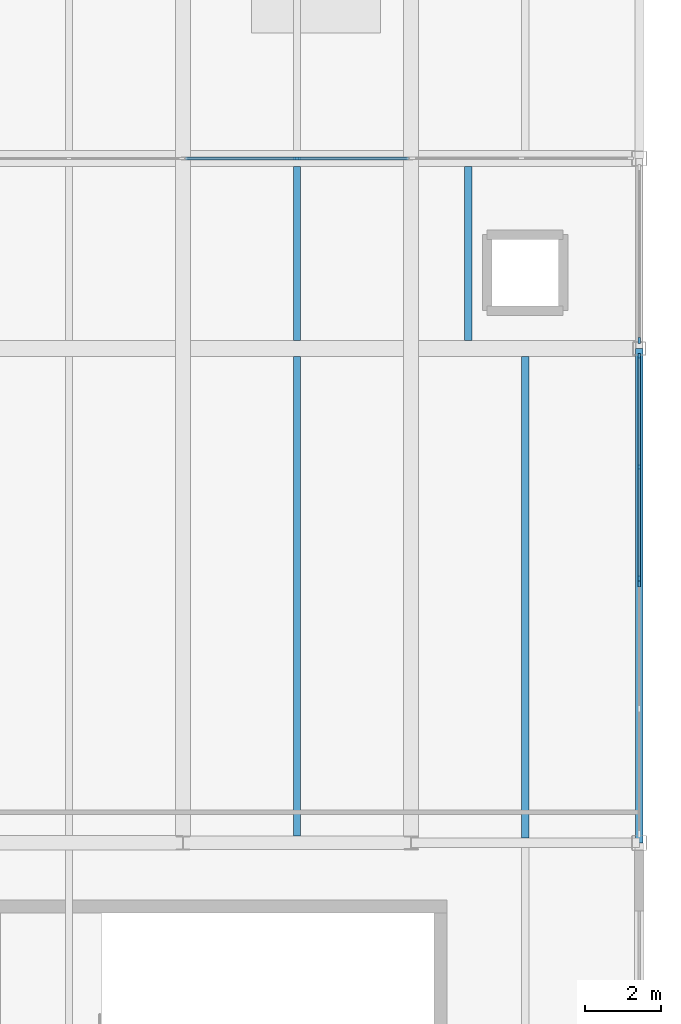
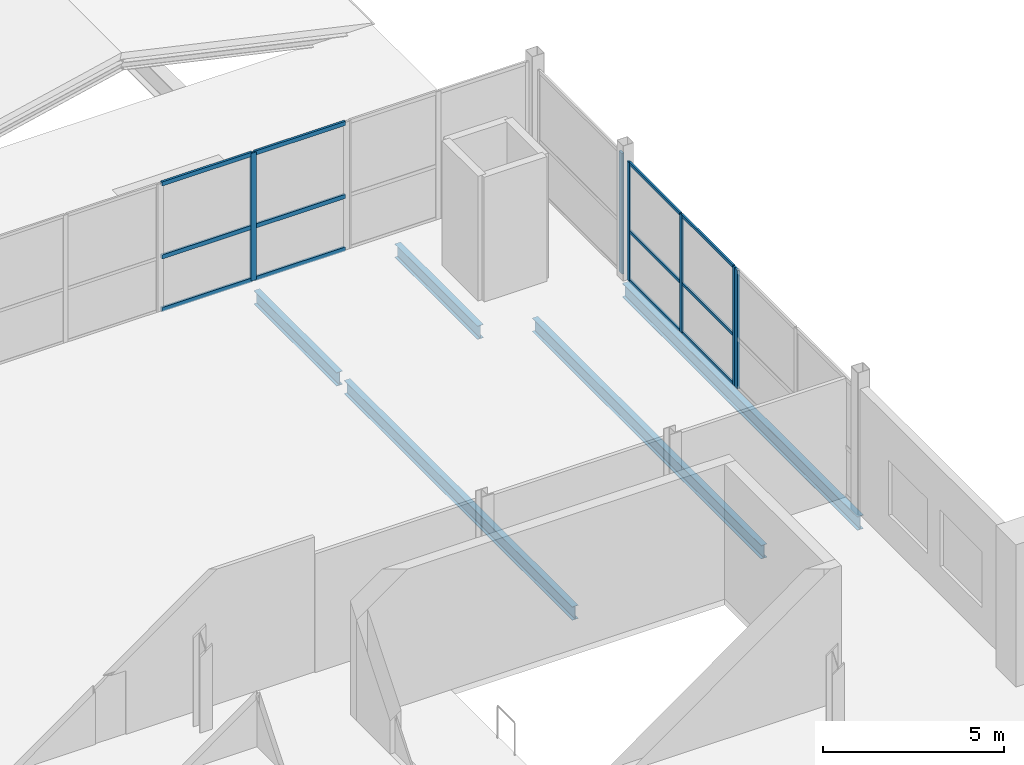
# One storey, part 31 of 50: 18 members, 5 beams, 4 elements without a shape of their own.
"""IFC4 building model written with IfcOpenShell, lengths in metres."""

from ifc_helpers import new_model, si_unit, direction, frame, origin, origin_2d, place, context, subcontext, project, spatial, rectangle, i_section, extrude, material, layer, layer_set, material_profile, profile_set, type_object, element, aggregate, save


model = new_model("IFC4")

# Units and contexts
model_context = context("Model", 3, precision=1e-05, world=origin(), true_north=direction((0.0, 1.0)))
body_context = subcontext(model_context, "Body", "Model", "MODEL_VIEW")
ifc_project = project(units=[si_unit("LENGTHUNIT", "METRE"), si_unit("AREAUNIT", "SQUARE_METRE"), si_unit("VOLUMEUNIT", "CUBIC_METRE"), si_unit("PLANEANGLEUNIT", "RADIAN"), si_unit("MASSUNIT", "GRAM", prefix="KILO")], contexts=[model_context])

# Site, building, storey
site_placement = place(None, origin())
site = spatial("IfcSite", under=ifc_project, at=site_placement, CompositionType="ELEMENT")
building_placement = place(site_placement, origin())
building = spatial("IfcBuilding", under=site, at=building_placement, Name="Qamarlyn Nura Convention Centre", CompositionType="ELEMENT")
storey_placement = place(building_placement, frame((0.0, 0.0, 20.39990234375)))
storey = spatial("IfcBuildingStorey", under=building, at=storey_placement, Name="L04", CompositionType="ELEMENT", Elevation=20.39990234375)

# Beams
ifc_material_1 = material(Name="Steel ASTM A992", Category="steel")
ifc_material_profile_1 = material_profile(ifc_material_1, i_section(OverallWidth=0.18994140625, OverallDepth=0.45703125, WebThickness=0.009033203125, FlangeThickness=0.014404296875, FilletRadius=0.012939453125, at=origin_2d()), Name="W460X74")
ifc_profile_set_1 = profile_set([ifc_material_profile_1], Name="Steel ASTM A992")
beam_type_1 = type_object("IfcBeamType", Name="BM-JOIST-460", PredefinedType="JOIST", material=ifc_profile_set_1)
beam_1_placement = place(storey_placement, frame((183.0, 90.177490234375, -0.428466796875), z_axis=(0.0, 1.0, 0.0), x_axis=(-1.0, 0.0, 0.0)))
element("IfcBeam", 1, at=beam_1_placement, inside=storey, type_object=beam_type_1, Name="L04 secondary joist 16-17/L-M-62", PredefinedType="JOIST", context=body_context, shape_type="SweptSolid", body=[
    extrude(i_section(OverallWidth=0.18994140625, OverallDepth=0.45703125, WebThickness=0.009033203125, FlangeThickness=0.014404296875, FilletRadius=0.012939453125, at=origin_2d()), origin(), (0.0, 0.0, 1.0), 12.613525390625),
])
beam_2_placement = place(storey_placement, frame((183.0, 103.208984375, -0.428466796875), z_axis=(0.0, 1.0, 0.0), x_axis=(-1.0, 0.0, 0.0)))
element("IfcBeam", 2, at=beam_2_placement, inside=storey, type_object=beam_type_1, Name="L04 secondary joist 16-17/M-N-63", PredefinedType="JOIST", context=body_context, shape_type="SweptSolid", body=[
    extrude(i_section(OverallWidth=0.18994140625, OverallDepth=0.45703125, WebThickness=0.009033203125, FlangeThickness=0.014404296875, FilletRadius=0.012939453125, at=origin_2d()), origin(), (0.0, 0.0, 1.0), 4.58203125),
])
beam_3_placement = place(storey_placement, frame((189.0, 90.126953125, -0.428466796875), z_axis=(0.0, 1.0, 0.0), x_axis=(-1.0, 0.0, 0.0)))
element("IfcBeam", 3, at=beam_3_placement, inside=storey, type_object=beam_type_1, Name="L04 secondary joist 17-18/L-M-70", PredefinedType="JOIST", context=body_context, shape_type="SweptSolid", body=[
    extrude(i_section(OverallWidth=0.18994140625, OverallDepth=0.45703125, WebThickness=0.009033203125, FlangeThickness=0.014404296875, FilletRadius=0.012939453125, at=origin_2d()), origin(), (0.0, 0.0, 1.0), 12.6640625),
])
beam_4_placement = place(storey_placement, frame((187.5, 103.208984375, -0.428466796875), z_axis=(0.0, 1.0, 0.0), x_axis=(-1.0, 0.0, 0.0)))
element("IfcBeam", 4, at=beam_4_placement, inside=storey, type_object=beam_type_1, Name="L04 secondary joist 17-18/M-N-71", PredefinedType="JOIST", context=body_context, shape_type="SweptSolid", body=[
    extrude(i_section(OverallWidth=0.18994140625, OverallDepth=0.45703125, WebThickness=0.009033203125, FlangeThickness=0.014404296875, FilletRadius=0.012939453125, at=origin_2d()), origin(), (0.0, 0.0, 1.0), 4.58203125),
])
ifc_material_profile_2 = material_profile(ifc_material_1, i_section(OverallWidth=0.193115234375, OverallDepth=0.466064453125, WebThickness=0.011474609375, FlangeThickness=0.01904296875, FilletRadius=0.012939453125, at=origin_2d()), Name="W460X97")
ifc_profile_set_2 = profile_set([ifc_material_profile_2], Name="Steel ASTM A992")
beam_type_2 = type_object("IfcBeamType", Name="BM-SPAN-460", PredefinedType="SPANDREL", material=ifc_profile_set_2)
beam_5_placement = place(storey_placement, frame((192.0, 90.0, -0.432861328125), z_axis=(0.0, 1.0, 0.0), x_axis=(-1.0, 0.0, 0.0)))
element("IfcBeam", 5, at=beam_5_placement, inside=storey, type_object=beam_type_2, Name="L04 girder 18 L-M", PredefinedType="SPANDREL", context=body_context, shape_type="SweptSolid", body=[
    extrude(i_section(OverallWidth=0.193115234375, OverallDepth=0.466064453125, WebThickness=0.011474609375, FlangeThickness=0.01904296875, FilletRadius=0.012939453125, at=origin_2d()), origin(), (0.0, 0.0, 1.0), 13.0),
])

# Curtain wall, members
ifc_material_2 = material(Name="Double-silver low-E insulated glass", Category="glass")
ifc_layer_1 = layer(ifc_material_2, 0.179931640625, Name="CW-UNIT-138")
ifc_layer_set_1 = layer_set([ifc_layer_1], Name="Double-silver low-E insulated glass")
curtain_wall_type_1 = type_object("IfcCurtainWallType", Name="CW-UNIT-138", PredefinedType="NOTDEFINED", material=ifc_layer_set_1)
curtain_wall_1_placement = place(storey_placement, origin())
curtain_wall_1 = element("IfcCurtainWall", 6, at=curtain_wall_1_placement, inside=storey, type_object=curtain_wall_type_1, Name="L04 unitised curtain wall EAST-11-1A", PredefinedType="NOTDEFINED")
ifc_material_3 = material(Name="Champagne-anodised marine aluminium", Category="aluminium")
ifc_material_profile_3 = material_profile(ifc_material_3, rectangle(XDim=0.06005859375, YDim=0.139892578125, at=origin_2d()), Name="ALU MULLION 60x140")
ifc_profile_set_3 = profile_set([ifc_material_profile_3], Name="Champagne-anodised marine aluminium")
member_type_1 = type_object("IfcMemberType", Name="CWM-140", PredefinedType="MULLION", material=ifc_profile_set_3)
member_1_placement = place(storey_placement, frame((192.0, 102.794921875, 0.0), z_axis=(0.0, 0.0, 1.0), x_axis=(1.0, 0.0, 0.0)))
member_1 = element("IfcMember", 7, at=member_1_placement, type_object=member_type_1, Name="CW138 mullion 1", PredefinedType="MULLION", context=body_context, shape_type="SweptSolid", body=[
    extrude(rectangle(XDim=0.06005859375, YDim=0.139892578125, at=origin_2d()), origin(), (0.0, 0.0, 1.0), 4.006103515625),
])
member_2_placement = place(storey_placement, frame((192.0, 99.878173828125, 0.0), z_axis=(0.0, 0.0, 1.0), x_axis=(1.0, 0.0, 0.0)))
member_2 = element("IfcMember", 8, at=member_2_placement, type_object=member_type_1, Name="CW138 mullion 2", PredefinedType="MULLION", context=body_context, shape_type="SweptSolid", body=[
    extrude(rectangle(XDim=0.06005859375, YDim=0.139892578125, at=origin_2d()), origin(), (0.0, 0.0, 1.0), 4.006103515625),
])
member_3_placement = place(storey_placement, frame((192.0, 96.961181640625, 0.0), z_axis=(0.0, 0.0, 1.0), x_axis=(1.0, 0.0, 0.0)))
member_3 = element("IfcMember", 9, at=member_3_placement, type_object=member_type_1, Name="CW138 mullion 3", PredefinedType="MULLION", context=body_context, shape_type="SweptSolid", body=[
    extrude(rectangle(XDim=0.06005859375, YDim=0.139892578125, at=origin_2d()), origin(), (0.0, 0.0, 1.0), 4.006103515625),
])

# Curtain wall, member
ifc_layer_2 = layer(ifc_material_2, 0.179931640625, Name="CW-UNIT-140")
ifc_layer_set_2 = layer_set([ifc_layer_2], Name="Double-silver low-E insulated glass")
curtain_wall_type_2 = type_object("IfcCurtainWallType", Name="CW-UNIT-140", PredefinedType="NOTDEFINED", material=ifc_layer_set_2)
curtain_wall_2_placement = place(storey_placement, origin())
curtain_wall_2 = element("IfcCurtainWall", 10, at=curtain_wall_2_placement, inside=storey, type_object=curtain_wall_type_2, Name="L04 unitised curtain wall EAST-12-1", PredefinedType="NOTDEFINED")
ifc_material_profile_4 = material_profile(ifc_material_3, rectangle(XDim=0.06494140625, YDim=0.159912109375, at=origin_2d()), Name="ALU MULLION 65x160")
ifc_profile_set_4 = profile_set([ifc_material_profile_4], Name="Champagne-anodised marine aluminium")
member_type_2 = type_object("IfcMemberType", Name="CWM-160", PredefinedType="MULLION", material=ifc_profile_set_4)
member_4_placement = place(storey_placement, frame((192.0, 103.20751953125, 0.0), z_axis=(0.0, 0.0, 1.0), x_axis=(1.0, 0.0, 0.0)))
member_4 = element("IfcMember", 11, at=member_4_placement, type_object=member_type_2, Name="CW140 mullion 2", PredefinedType="MULLION", context=body_context, shape_type="SweptSolid", body=[
    extrude(rectangle(XDim=0.06494140625, YDim=0.159912109375, at=origin_2d()), origin(), (0.0, 0.0, 1.0), 4.0791015625),
])
aggregate(curtain_wall_2, [member_4])

ifc_layer_3 = layer(ifc_material_2, 0.179931640625, Name="CW-UNIT-139")
ifc_layer_set_3 = layer_set([ifc_layer_3], Name="Double-silver low-E insulated glass")
curtain_wall_type_3 = type_object("IfcCurtainWallType", Name="CW-UNIT-139", PredefinedType="NOTDEFINED", material=ifc_layer_set_3)
curtain_wall_3_placement = place(storey_placement, origin())
curtain_wall_3 = element("IfcCurtainWall", 12, at=curtain_wall_3_placement, inside=storey, type_object=curtain_wall_type_3, Name="L04 unitised curtain wall EAST-11-1B", PredefinedType="NOTDEFINED")
ifc_material_profile_5 = material_profile(ifc_material_3, rectangle(XDim=0.070068359375, YDim=0.179931640625, at=origin_2d()), Name="ALU MULLION 70x180")
ifc_profile_set_5 = profile_set([ifc_material_profile_5], Name="Champagne-anodised marine aluminium")
member_type_3 = type_object("IfcMemberType", Name="CWM-180", PredefinedType="MULLION", material=ifc_profile_set_5)
member_5_placement = place(storey_placement, frame((192.0, 96.81640625, 0.0), z_axis=(0.0, 0.0, 1.0), x_axis=(1.0, 0.0, 0.0)))
member_5 = element("IfcMember", 13, at=member_5_placement, type_object=member_type_3, Name="CW139 mullion 1", PredefinedType="MULLION", context=body_context, shape_type="SweptSolid", body=[
    extrude(rectangle(XDim=0.070068359375, YDim=0.179931640625, at=origin_2d()), origin(), (0.0, 0.0, 1.0), 4.006103515625),
])
aggregate(curtain_wall_3, [member_5])

ifc_layer_4 = layer(ifc_material_2, 0.179931640625, Name="CW-UNIT-150")
ifc_layer_set_4 = layer_set([ifc_layer_4], Name="Double-silver low-E insulated glass")
curtain_wall_type_4 = type_object("IfcCurtainWallType", Name="CW-UNIT-150", PredefinedType="NOTDEFINED", material=ifc_layer_set_4)
curtain_wall_4_placement = place(storey_placement, origin())
curtain_wall_4 = element("IfcCurtainWall", 14, at=curtain_wall_4_placement, inside=storey, type_object=curtain_wall_type_4, Name="L04 unitised curtain wall DLN-180-1", PredefinedType="NOTDEFINED")
member_6_placement = place(storey_placement, frame((183.0, 108.0, 0.0), z_axis=(0.0, 0.0, 1.0), x_axis=(0.0, 1.0, 0.0)))
member_6 = element("IfcMember", 15, at=member_6_placement, type_object=member_type_3, Name="CW150 mullion 2", PredefinedType="MULLION", context=body_context, shape_type="SweptSolid", body=[
    extrude(rectangle(XDim=0.070068359375, YDim=0.179931640625, at=origin_2d()), origin(), (0.0, 0.0, 1.0), 4.31005859375),
])

# Member
ifc_material_profile_6 = material_profile(ifc_material_3, rectangle(XDim=0.06005859375, YDim=0.10009765625, at=origin_2d()), Name="ALU TRANSOM 60x100")
ifc_profile_set_6 = profile_set([ifc_material_profile_6], Name="Champagne-anodised marine aluminium")
member_type_4 = type_object("IfcMemberType", Name="CWT-100", PredefinedType="USERDEFINED", material=ifc_profile_set_6)
member_7_placement = place(storey_placement, frame((192.0, 102.764892578125, 0.030029296875), z_axis=(0.0, -1.0, 0.0), x_axis=(1.0, 0.0, 0.0)))
member_7 = element("IfcMember", 16, at=member_7_placement, type_object=member_type_4, Name="CW138 transom 1.1", ObjectType="TRANSOM", PredefinedType="USERDEFINED", context=body_context, shape_type="SweptSolid", body=[
    extrude(rectangle(XDim=0.06005859375, YDim=0.10009765625, at=origin_2d()), origin(), (0.0, 0.0, 1.0), 2.856689453125),
])

member_8_placement = place(storey_placement, frame((192.0, 102.764892578125, 1.68310546875), z_axis=(0.0, -1.0, 0.0), x_axis=(1.0, 0.0, 0.0)))
member_8 = element("IfcMember", 17, at=member_8_placement, type_object=member_type_4, Name="CW138 transom 1.2", ObjectType="TRANSOM", PredefinedType="USERDEFINED", context=body_context, shape_type="SweptSolid", body=[
    extrude(rectangle(XDim=0.06005859375, YDim=0.10009765625, at=origin_2d()), origin(), (0.0, 0.0, 1.0), 2.856689453125),
])

member_9_placement = place(storey_placement, frame((192.0, 102.764892578125, 3.97607421875), z_axis=(0.0, -1.0, 0.0), x_axis=(1.0, 0.0, 0.0)))
member_9 = element("IfcMember", 18, at=member_9_placement, type_object=member_type_4, Name="CW138 transom 1.3", ObjectType="TRANSOM", PredefinedType="USERDEFINED", context=body_context, shape_type="SweptSolid", body=[
    extrude(rectangle(XDim=0.06005859375, YDim=0.10009765625, at=origin_2d()), origin(), (0.0, 0.0, 1.0), 2.856689453125),
])

member_10_placement = place(storey_placement, frame((192.0, 99.84814453125, 0.030029296875), z_axis=(0.0, -1.0, 0.0), x_axis=(1.0, 0.0, 0.0)))
member_10 = element("IfcMember", 19, at=member_10_placement, type_object=member_type_4, Name="CW138 transom 2.1", ObjectType="TRANSOM", PredefinedType="USERDEFINED", context=body_context, shape_type="SweptSolid", body=[
    extrude(rectangle(XDim=0.06005859375, YDim=0.10009765625, at=origin_2d()), origin(), (0.0, 0.0, 1.0), 2.85693359375),
])

member_11_placement = place(storey_placement, frame((192.0, 99.84814453125, 1.68310546875), z_axis=(0.0, -1.0, 0.0), x_axis=(1.0, 0.0, 0.0)))
member_11 = element("IfcMember", 20, at=member_11_placement, type_object=member_type_4, Name="CW138 transom 2.2", ObjectType="TRANSOM", PredefinedType="USERDEFINED", context=body_context, shape_type="SweptSolid", body=[
    extrude(rectangle(XDim=0.06005859375, YDim=0.10009765625, at=origin_2d()), origin(), (0.0, 0.0, 1.0), 2.85693359375),
])

member_12_placement = place(storey_placement, frame((192.0, 99.84814453125, 3.97607421875), z_axis=(0.0, -1.0, 0.0), x_axis=(1.0, 0.0, 0.0)))
member_12 = element("IfcMember", 21, at=member_12_placement, type_object=member_type_4, Name="CW138 transom 2.3", ObjectType="TRANSOM", PredefinedType="USERDEFINED", context=body_context, shape_type="SweptSolid", body=[
    extrude(rectangle(XDim=0.06005859375, YDim=0.10009765625, at=origin_2d()), origin(), (0.0, 0.0, 1.0), 2.85693359375),
])

aggregate(curtain_wall_1, [member_1, member_2, member_3, member_7, member_8, member_9, member_10, member_11, member_12])

ifc_material_profile_7 = material_profile(ifc_material_3, rectangle(XDim=0.070068359375, YDim=0.139892578125, at=origin_2d()), Name="ALU TRANSOM 70x140")
ifc_profile_set_7 = profile_set([ifc_material_profile_7], Name="Champagne-anodised marine aluminium")
member_type_5 = type_object("IfcMemberType", Name="CWT-140", PredefinedType="USERDEFINED", material=ifc_profile_set_7)
member_13_placement = place(storey_placement, frame((180.070068359375, 108.0, 0.03515625), z_axis=(1.0, 0.0, 0.0), x_axis=(0.0, 1.0, 0.0)))
member_13 = element("IfcMember", 22, at=member_13_placement, type_object=member_type_5, Name="CW150 transom 1.1", ObjectType="TRANSOM", PredefinedType="USERDEFINED", context=body_context, shape_type="SweptSolid", body=[
    extrude(rectangle(XDim=0.070068359375, YDim=0.139892578125, at=origin_2d()), origin(), (0.0, 0.0, 1.0), 2.89501953125),
])

member_14_placement = place(storey_placement, frame((180.070068359375, 108.0, 1.81005859375), z_axis=(1.0, 0.0, 0.0), x_axis=(0.0, 1.0, 0.0)))
member_14 = element("IfcMember", 23, at=member_14_placement, type_object=member_type_5, Name="CW150 transom 1.2", ObjectType="TRANSOM", PredefinedType="USERDEFINED", context=body_context, shape_type="SweptSolid", body=[
    extrude(rectangle(XDim=0.070068359375, YDim=0.139892578125, at=origin_2d()), origin(), (0.0, 0.0, 1.0), 2.89501953125),
])

member_15_placement = place(storey_placement, frame((180.070068359375, 108.0, 4.275146484375), z_axis=(1.0, 0.0, 0.0), x_axis=(0.0, 1.0, 0.0)))
member_15 = element("IfcMember", 24, at=member_15_placement, type_object=member_type_5, Name="CW150 transom 1.3", ObjectType="TRANSOM", PredefinedType="USERDEFINED", context=body_context, shape_type="SweptSolid", body=[
    extrude(rectangle(XDim=0.070068359375, YDim=0.139892578125, at=origin_2d()), origin(), (0.0, 0.0, 1.0), 2.89501953125),
])

member_16_placement = place(storey_placement, frame((183.034912109375, 108.0, 0.03515625), z_axis=(1.0, 0.0, 0.0), x_axis=(0.0, 1.0, 0.0)))
member_16 = element("IfcMember", 25, at=member_16_placement, type_object=member_type_5, Name="CW150 transom 2.1", ObjectType="TRANSOM", PredefinedType="USERDEFINED", context=body_context, shape_type="SweptSolid", body=[
    extrude(rectangle(XDim=0.070068359375, YDim=0.139892578125, at=origin_2d()), origin(), (0.0, 0.0, 1.0), 2.89501953125),
])

member_17_placement = place(storey_placement, frame((183.034912109375, 108.0, 1.81005859375), z_axis=(1.0, 0.0, 0.0), x_axis=(0.0, 1.0, 0.0)))
member_17 = element("IfcMember", 26, at=member_17_placement, type_object=member_type_5, Name="CW150 transom 2.2", ObjectType="TRANSOM", PredefinedType="USERDEFINED", context=body_context, shape_type="SweptSolid", body=[
    extrude(rectangle(XDim=0.070068359375, YDim=0.139892578125, at=origin_2d()), origin(), (0.0, 0.0, 1.0), 2.89501953125),
])

member_18_placement = place(storey_placement, frame((183.034912109375, 108.0, 4.275146484375), z_axis=(1.0, 0.0, 0.0), x_axis=(0.0, 1.0, 0.0)))
member_18 = element("IfcMember", 27, at=member_18_placement, type_object=member_type_5, Name="CW150 transom 2.3", ObjectType="TRANSOM", PredefinedType="USERDEFINED", context=body_context, shape_type="SweptSolid", body=[
    extrude(rectangle(XDim=0.070068359375, YDim=0.139892578125, at=origin_2d()), origin(), (0.0, 0.0, 1.0), 2.89501953125),
])

aggregate(curtain_wall_4, [member_6, member_13, member_14, member_15, member_16, member_17, member_18])

save(model, "model.ifc")
